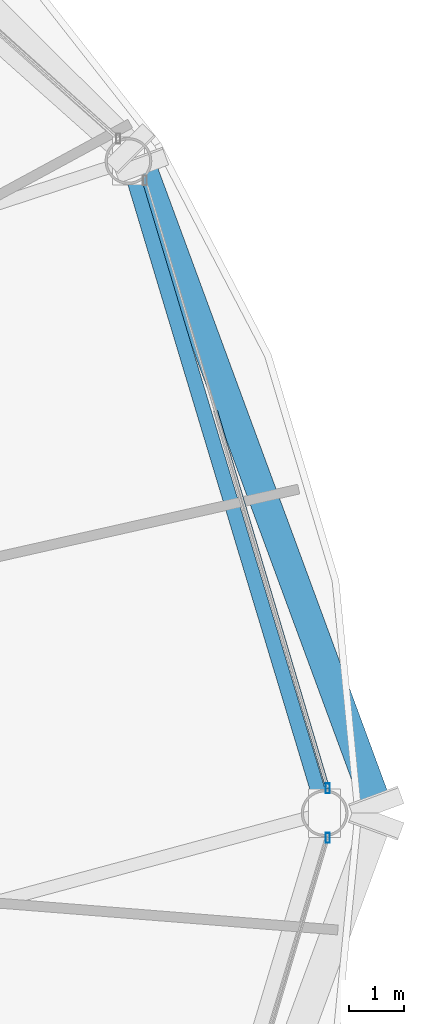
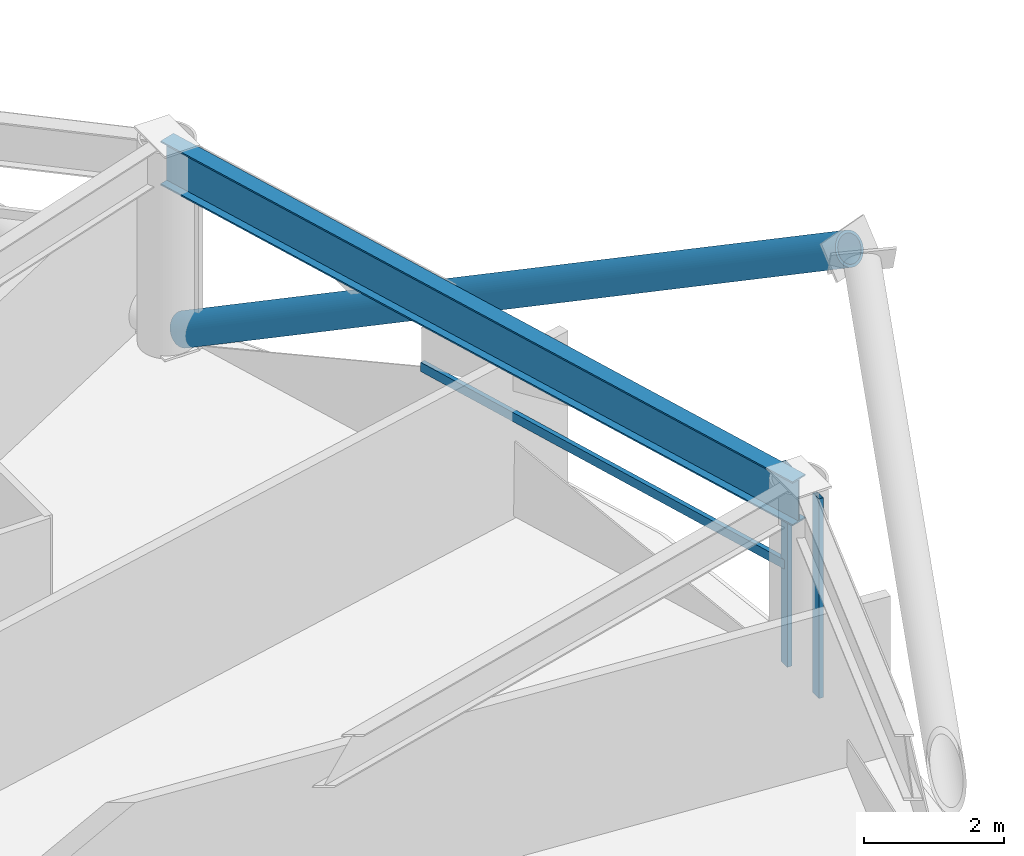
# One storey, part 14 of 30: 4 members, 1 beam, 2 elements without a shape of their own.
"""IFC4 building model written with IfcOpenShell, lengths in metres."""

from ifc_helpers import new_model, si_unit, direction, frame, origin, origin_2d, place, context, subcontext, project, spatial, hollow_rectangle, hollow_circle, i_section, extrude, material, layer, layer_set, material_profile, profile_set, type_object, element, aggregate, save


model = new_model("IFC4")

# Units and contexts
model_context = context("Model", 3, precision=1e-05, world=origin(), true_north=direction((0.0, 1.0)))
body_context = subcontext(model_context, "Body", "Model", "MODEL_VIEW")
ifc_project = project(units=[si_unit("LENGTHUNIT", "METRE"), si_unit("AREAUNIT", "SQUARE_METRE"), si_unit("VOLUMEUNIT", "CUBIC_METRE"), si_unit("PLANEANGLEUNIT", "RADIAN"), si_unit("MASSUNIT", "GRAM", prefix="KILO")], contexts=[model_context])

# Site, building, storey
site_placement = place(None, origin())
site = spatial("IfcSite", under=ifc_project, at=site_placement, CompositionType="ELEMENT")
building_placement = place(site_placement, origin())
building = spatial("IfcBuilding", under=site, at=building_placement, Name="Vantalir Tower", CompositionType="ELEMENT")
storey_placement = place(building_placement, frame((0.0, 0.0, 49.5)))
storey = spatial("IfcBuildingStorey", under=building, at=storey_placement, Name="L11", CompositionType="ELEMENT", Elevation=49.5)

# Beam
ifc_material_1 = material(Name="Steel S460", Category="steel")
ifc_material_profile_1 = material_profile(ifc_material_1, i_section(OverallWidth=0.26806640625, OverallDepth=0.77001953125, WebThickness=0.015625, FlangeThickness=0.025390625, at=origin_2d()), Name="Steel S460")
ifc_profile_set_1 = profile_set([ifc_material_profile_1], Name="Steel S460")
beam_type = type_object("IfcBeamType", Name="BM-RG-762x267", PredefinedType="USERDEFINED", material=ifc_profile_set_1)
beam_placement = place(storey_placement, frame((58.138916015625, 25.0, 3.18505859375), z_axis=(-0.288083666515, 0.957605242826, 0.0), x_axis=(-0.957605242826, -0.288083666515, 0.0)))
element("IfcBeam", 1, at=beam_placement, inside=storey, type_object=beam_type, Name="L11 Circumferential Ring Girder 01", ObjectType="GIRDER", PredefinedType="USERDEFINED", context=body_context, shape_type="SweptSolid", body=[
    extrude(i_section(OverallWidth=0.26806640625, OverallDepth=0.77001953125, WebThickness=0.015625, FlangeThickness=0.025390625, at=origin_2d()), origin(), (0.0, 0.0, 1.0), 12.38818359375),
])

# Curtain wall, member
ifc_material_2 = material(Name="Champagne-silver PVDF aluminium and double-silver Low-E glass", Category="aluminium")
ifc_layer = layer(ifc_material_2, 0.18994140625)
ifc_layer_set = layer_set([ifc_layer], Name="Champagne-silver PVDF aluminium and double-silver Low-E glass")
curtain_wall_type = type_object("IfcCurtainWallType", Name="CW-DIAMOND-Z1", PredefinedType="USERDEFINED", material=ifc_layer_set)
curtain_wall_1_placement = place(storey_placement, origin())
curtain_wall_1 = element("IfcCurtainWall", 2, at=curtain_wall_1_placement, inside=storey, type_object=curtain_wall_type, Name="L11 Quilted Pyramid-Diamond Curtain Wall S01", ObjectType="UNITISED CURTAIN WALL", PredefinedType="USERDEFINED")
ifc_material_3 = material(Name="Champagne-silver PVDF aluminium 6063-T6", Category="aluminium")
ifc_material_profile_2 = material_profile(ifc_material_3, hollow_rectangle(XDim=0.074951171875, YDim=0.179931640625, WallThickness=0.00390625, at=origin_2d()), Name="Champagne-silver PVDF aluminium 6063-T6")
ifc_profile_set_2 = profile_set([ifc_material_profile_2], Name="Champagne-silver PVDF aluminium 6063-T6")
member_type_1 = type_object("IfcMemberType", Name="CWM-180x75", PredefinedType="MULLION", material=ifc_profile_set_2)
member_1_placement = place(storey_placement, frame((58.194091796875, 25.449951171875, 0.044921875), z_axis=(0.0, 0.0, 1.0), x_axis=(1.0, 0.0, 0.0)))
member_1 = element("IfcMember", 3, at=member_1_placement, type_object=member_type_1, Name="CW-L11-S01 Mullion 1", PredefinedType="MULLION", context=body_context, shape_type="SweptSolid", body=[
    extrude(hollow_rectangle(XDim=0.074951171875, YDim=0.179931640625, WallThickness=0.00390625, at=origin_2d()), origin(), (0.0, 0.0, 1.0), 3.47998046875),
])

curtain_wall_2_placement = place(storey_placement, origin())
curtain_wall_2 = element("IfcCurtainWall", 4, at=curtain_wall_2_placement, inside=storey, type_object=curtain_wall_type, Name="L11 Quilted Pyramid-Diamond Curtain Wall S12", ObjectType="UNITISED CURTAIN WALL", PredefinedType="USERDEFINED")
member_2_placement = place(storey_placement, frame((58.194091796875, 24.550048828125, 0.044921875), z_axis=(0.0, 0.0, 1.0), x_axis=(1.0, 0.0, 0.0)))
member_2 = element("IfcMember", 5, at=member_2_placement, type_object=member_type_1, Name="CW-L11-S12 Mullion 2", PredefinedType="MULLION", context=body_context, shape_type="SweptSolid", body=[
    extrude(hollow_rectangle(XDim=0.074951171875, YDim=0.179931640625, WallThickness=0.00390625, at=origin_2d()), origin(), (0.0, 0.0, 1.0), 3.47998046875),
])
aggregate(curtain_wall_2, [member_2])

# Member
ifc_material_profile_3 = material_profile(ifc_material_3, hollow_rectangle(XDim=0.074951171875, YDim=0.159912109375, WallThickness=0.00390625, at=origin_2d()), Name="Champagne-silver PVDF aluminium 6063-T6")
ifc_profile_set_3 = profile_set([ifc_material_profile_3], Name="Champagne-silver PVDF aluminium 6063-T6")
member_type_2 = type_object("IfcMemberType", Name="CWT-160x75", PredefinedType="USERDEFINED", material=ifc_profile_set_3)
member_3_placement = place(storey_placement, frame((58.194091796875, 25.449951171875, 1.784912109375), z_axis=(-0.284678104655, 0.95862316722, 0.0), x_axis=(-0.95862316722, -0.284678104655, 0.0)))
member_3 = element("IfcMember", 6, at=member_3_placement, type_object=member_type_2, Name="CW-L11-S01 Pyramid Fold Ridge Transom", ObjectType="TRANSOM", PredefinedType="USERDEFINED", context=body_context, shape_type="SweptSolid", body=[
    extrude(hollow_rectangle(XDim=0.074951171875, YDim=0.159912109375, WallThickness=0.00390625, at=origin_2d()), origin(), (0.0, 0.0, 1.0), 7.1591796875),
])

aggregate(curtain_wall_1, [member_1, member_3])

ifc_material_profile_4 = material_profile(ifc_material_1, hollow_circle(Radius=0.27001953125, WallThickness=0.044921875, at=origin_2d()), Name="Steel S460")
ifc_profile_set_4 = profile_set([ifc_material_profile_4], Name="Steel S460")
member_type_3 = type_object("IfcMemberType", Name="MEM-DB-540x45", PredefinedType="BRACE", material=ifc_profile_set_4)
member_4_placement = place(storey_placement, frame((54.801025390625, 36.778076171875, 0.18798828125), z_axis=(0.301456624879, -0.818062288445, 0.489793829627), x_axis=(0.938318834505, 0.345771260827, 0.0)))
element("IfcMember", 7, at=member_4_placement, inside=storey, type_object=member_type_3, Name="L11 Perimeter S460 Diagrid Brace R04R", PredefinedType="BRACE", context=body_context, shape_type="SweptSolid", body=[
    extrude(hollow_circle(Radius=0.27001953125, WallThickness=0.044921875, at=origin_2d()), origin(), (0.0, 0.0, 1.0), 14.177490234375),
])

save(model, "model.ifc")
